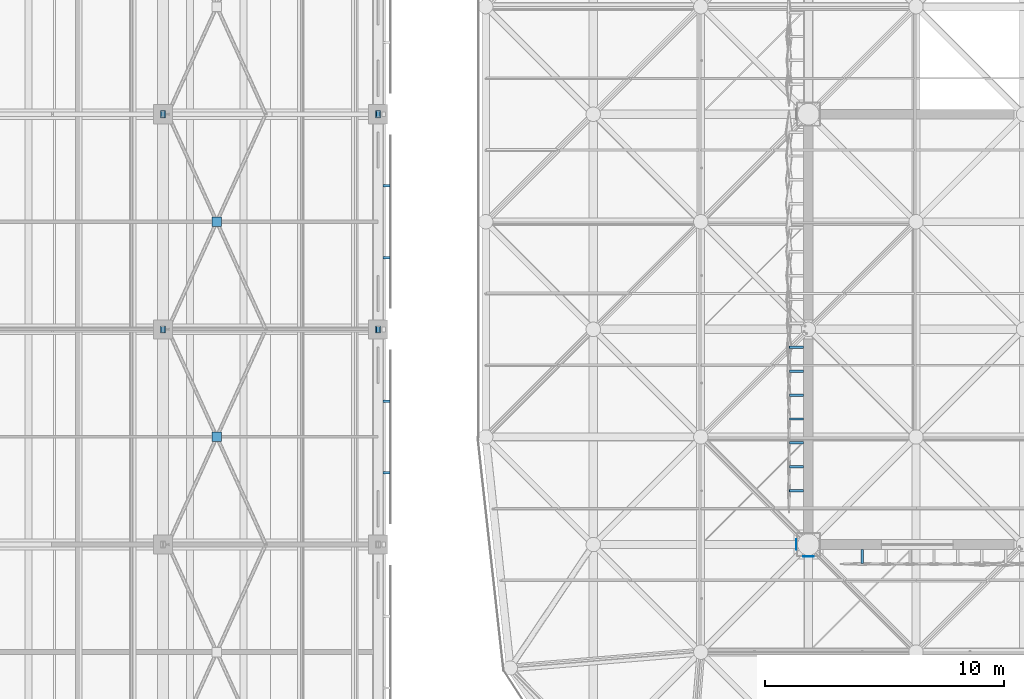
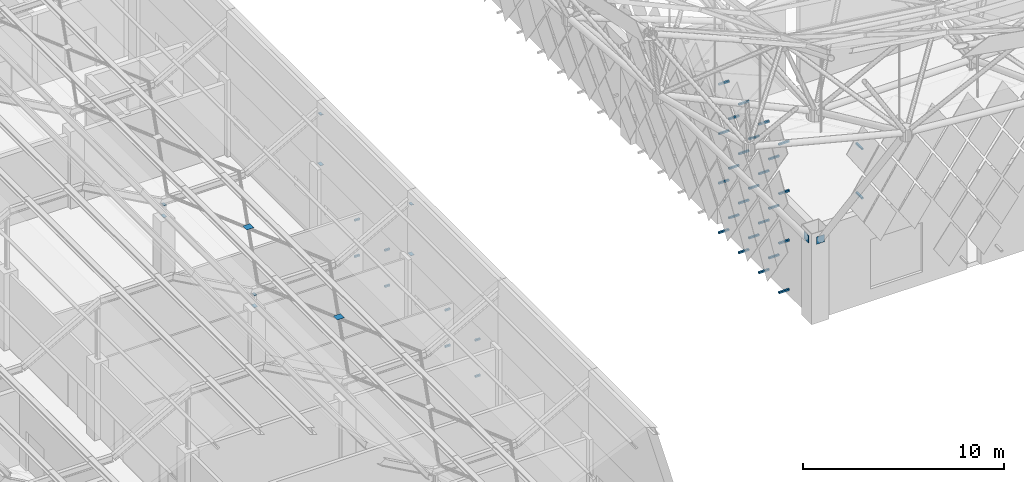
# One storey, part 347 of 437: 47 discrete accessories.
"""IFC4 building model written with IfcOpenShell, lengths in metres."""

from ifc_helpers import new_model, si_unit, direction, frame, origin, origin_2d, place, context, subcontext, project, spatial, polyline, rectangle, outline, extrude, material, layer, layer_set, type_object, element, save


model = new_model("IFC4")

# Units and contexts
model_context = context("Model", 3, precision=1e-05, world=origin(), true_north=direction((0.0, 1.0)))
body_context = subcontext(model_context, "Body", "Model", "MODEL_VIEW")
ifc_project = project(units=[si_unit("LENGTHUNIT", "METRE"), si_unit("AREAUNIT", "SQUARE_METRE"), si_unit("VOLUMEUNIT", "CUBIC_METRE"), si_unit("PLANEANGLEUNIT", "RADIAN"), si_unit("MASSUNIT", "GRAM", prefix="KILO")], contexts=[model_context])

# Site, building, storey
site_placement = place(None, origin())
site = spatial("IfcSite", under=ifc_project, at=site_placement, CompositionType="ELEMENT")
building_placement = place(site_placement, origin())
building = spatial("IfcBuilding", under=site, at=building_placement, Name="Opaline Strait Convention Centre", CompositionType="ELEMENT")
storey_placement = place(building_placement, frame((0.0, 0.0, 11.5)))
storey = spatial("IfcBuildingStorey", under=building, at=storey_placement, Name="L02", CompositionType="ELEMENT", Elevation=11.5)

# Discrete accessories
ifc_material_1 = material(Name="Structural steel Q355B", Category="steel")
ifc_layer_1 = layer(ifc_material_1, 0.01611328125)
ifc_layer_set_1 = layer_set([ifc_layer_1], Name="Structural steel Q355B")
discrete_accessory_type_1 = type_object("IfcDiscreteAccessoryType", Name="Prop bearing plate 450 x 450 x 16", PredefinedType="ANCHORPLATE", material=ifc_layer_set_1)
discrete_accessory_1_placement = place(storey_placement, frame((0.0, 0.0, 4.796875)))
element("IfcDiscreteAccessory", 1, at=discrete_accessory_1_placement, inside=storey, type_object=discrete_accessory_type_1, Name="Prop bearing plate 99/54 S", PredefinedType="ANCHORPLATE", context=body_context, shape_type="SweptSolid", body=[
    extrude(outline(polyline([(98.77490234375, 53.48388671875), (99.22509765625, 53.48388671875), (99.22509765625, 53.5), (98.77490234375, 53.5), (98.77490234375, 53.48388671875)])), origin(), (0.0, 0.0, 1.0), 0.449951171875),
])
discrete_accessory_2_placement = place(storey_placement, frame((0.0, 0.0, 4.796875)))
element("IfcDiscreteAccessory", 2, at=discrete_accessory_2_placement, inside=storey, type_object=discrete_accessory_type_1, Name="Prop bearing plate 99/54 W", PredefinedType="ANCHORPLATE", context=body_context, shape_type="SweptSolid", body=[
    extrude(outline(polyline([(98.48388671875, 53.77490234375), (98.5, 53.77490234375), (98.5, 54.22509765625), (98.48388671875, 54.22509765625), (98.48388671875, 53.77490234375)])), origin(), (0.0, 0.0, 1.0), 0.449951171875),
])
ifc_material_2 = material(Name="Steel Q355B", Category="steel")
ifc_layer_2 = layer(ifc_material_2, 0.02001953125)
ifc_layer_set_2 = layer_set([ifc_layer_2], Name="Steel Q355B")
discrete_accessory_type_2 = type_object("IfcDiscreteAccessoryType", Name="Roof post base plate 300 x 200 x 20", PredefinedType="ANCHORPLATE", material=ifc_layer_set_2)
for number, where, z_axis, x_axis, name in (
    (3, (72.0, 63.0, 4.669921875), (0.0, 0.0, 1.0), (1.0, 0.0, 0.0), "Roof post base plate at 72/63"),
    (4, (81.0, 63.0, 4.669921875), (0.0, 0.0, 1.0), (1.0, 0.0, 0.0), "Roof post base plate at 81/63"),
    (5, (72.0, 72.0, 4.669921875), (0.0, 0.0, 1.0), (1.0, 0.0, 0.0), "Roof post base plate at 72/72"),
    (6, (81.0, 72.0, 4.669921875), (0.0, 0.0, 1.0), (1.0, 0.0, 0.0), "Roof post base plate at 81/72"),
):
    element("IfcDiscreteAccessory", number, at=place(storey_placement, frame(where, z_axis=z_axis, x_axis=x_axis)), inside=storey, type_object=discrete_accessory_type_2, Name=name, PredefinedType="ANCHORPLATE", context=body_context, shape_type="SweptSolid", body=[
        extrude(rectangle(XDim=0.199951171875, YDim=0.300048828125, at=origin_2d()), origin(), (0.0, 0.0, 1.0), 0.02001953125),
    ])
ifc_layer_3 = layer(ifc_material_2, 0.014892578125)
ifc_layer_set_3 = layer_set([ifc_layer_3], Name="Steel Q355B")
discrete_accessory_type_3 = type_object("IfcDiscreteAccessoryType", Name="Roof post cap plate 250 x 150 x 15", PredefinedType="ANCHORPLATE", material=ifc_layer_set_3)
for number, where, z_axis, x_axis, name in (
    (7, (72.0, 63.0, 5.38525390625), (0.0, 0.0, 1.0), (1.0, 0.0, 0.0), "Roof post cap plate at 72/63"),
    (8, (81.0, 63.0, 7.72119140625), (0.0, 0.0, 1.0), (1.0, 0.0, 0.0), "Roof post cap plate at 81/63"),
    (9, (72.0, 72.0, 5.38525390625), (0.0, 0.0, 1.0), (1.0, 0.0, 0.0), "Roof post cap plate at 72/72"),
    (10, (81.0, 72.0, 7.72119140625), (0.0, 0.0, 1.0), (1.0, 0.0, 0.0), "Roof post cap plate at 81/72"),
):
    element("IfcDiscreteAccessory", number, at=place(storey_placement, frame(where, z_axis=z_axis, x_axis=x_axis)), inside=storey, type_object=discrete_accessory_type_3, Name=name, PredefinedType="ANCHORPLATE", context=body_context, shape_type="SweptSolid", body=[
        extrude(rectangle(XDim=0.14990234375, YDim=0.25, at=origin_2d()), origin(), (0.0, 0.0, 1.0), 0.014892578125),
    ])
ifc_material_3 = material(Name="Stainless steel 316", Category="steel")
discrete_accessory_type_4 = type_object("IfcDiscreteAccessoryType", Name="Screen bracket 300 stainless steel 316", PredefinedType="BRACKET", material=ifc_material_3)
for number, where, z_axis, x_axis, name in (
    (11, (81.35009765625, 57.0, 0.75), (0.0, 0.0, 1.0), (1.0, 0.0, 0.0), "Screen bracket L02 bay 6"),
    (12, (81.35009765625, 57.0, 2.949951171875), (0.0, 0.0, 1.0), (1.0, 0.0, 0.0), "Screen bracket L02 bay 6"),
    (13, (81.35009765625, 60.0, 0.75), (0.0, 0.0, 1.0), (1.0, 0.0, 0.0), "Screen bracket L02 bay 6"),
    (14, (81.35009765625, 60.0, 2.949951171875), (0.0, 0.0, 1.0), (1.0, 0.0, 0.0), "Screen bracket L02 bay 6"),
    (15, (81.35009765625, 66.0, 0.75), (0.0, 0.0, 1.0), (1.0, 0.0, 0.0), "Screen bracket L02 bay 7"),
    (16, (81.35009765625, 66.0, 2.949951171875), (0.0, 0.0, 1.0), (1.0, 0.0, 0.0), "Screen bracket L02 bay 7"),
    (17, (81.35009765625, 69.0, 0.75), (0.0, 0.0, 1.0), (1.0, 0.0, 0.0), "Screen bracket L02 bay 7"),
    (18, (81.35009765625, 69.0, 2.949951171875), (0.0, 0.0, 1.0), (1.0, 0.0, 0.0), "Screen bracket L02 bay 7"),
):
    element("IfcDiscreteAccessory", number, at=place(storey_placement, frame(where, z_axis=z_axis, x_axis=x_axis)), inside=storey, type_object=discrete_accessory_type_4, Name=name, PredefinedType="BRACKET", context=body_context, shape_type="SweptSolid", body=[
        extrude(rectangle(XDim=0.300048828125, YDim=0.10009765625, at=origin_2d()), origin(), (0.0, 0.0, 1.0), 0.10009765625),
    ])
discrete_accessory_type_5 = type_object("IfcDiscreteAccessoryType", Name="Tile bracket 100x100 steel", PredefinedType="BRACKET", material=ifc_material_2)
discrete_accessory_3_placement = place(storey_placement, frame((101.199951171875, 53.800048828125, 6.89208984375), z_axis=(1.0, 0.0, 0.0), x_axis=(0.0, 1.0, 0.0)))
element("IfcDiscreteAccessory", 19, at=discrete_accessory_3_placement, inside=storey, type_object=discrete_accessory_type_5, Name="Tile bracket XT03 S", PredefinedType="BRACKET", context=body_context, shape_type="SweptSolid", body=[
    extrude(outline(polyline([(0.0, -0.050048828125), (0.0, 0.050048828125), (-0.5986328125, 0.050048828125), (-0.601318359375, -0.050048828125), (0.0, -0.050048828125)])), origin(), (0.0, 0.0, 1.0), 0.10009765625),
])
discrete_accessory_4_placement = place(storey_placement, frame((101.199951171875, 53.800048828125, 9.89208984375), z_axis=(1.0, 0.0, 0.0), x_axis=(0.0, 1.0, 0.0)))
element("IfcDiscreteAccessory", 20, at=discrete_accessory_4_placement, inside=storey, type_object=discrete_accessory_type_5, Name="Tile bracket XT04 S", PredefinedType="BRACKET", context=body_context, shape_type="SweptSolid", body=[
    extrude(outline(polyline([(0.0, -0.050048828125), (0.0, 0.050048828125), (-0.59814453125, 0.050048828125), (-0.601806640625, -0.050048828125), (0.0, -0.050048828125)])), origin(), (0.0, 0.0, 1.0), 0.10009765625),
])
discrete_accessory_5_placement = place(storey_placement, frame((98.800048828125, 62.300048828125, 0.39208984375), z_axis=(0.0, -1.0, 0.0), x_axis=(1.0, 0.0, 0.0)))
element("IfcDiscreteAccessory", 21, at=discrete_accessory_5_placement, inside=storey, type_object=discrete_accessory_type_5, Name="Tile bracket XT03 W", PredefinedType="BRACKET", context=body_context, shape_type="SweptSolid", body=[
    extrude(outline(polyline([(0.0, -0.050048828125), (0.0, 0.050048828125), (-0.5986328125, 0.050048828125), (-0.601318359375, -0.050048828125), (0.0, -0.050048828125)])), origin(), (0.0, 0.0, 1.0), 0.10009765625),
])
discrete_accessory_6_placement = place(storey_placement, frame((98.800048828125, 60.300048828125, 0.39208984375), z_axis=(0.0, -1.0, 0.0), x_axis=(1.0, 0.0, 0.0)))
element("IfcDiscreteAccessory", 22, at=discrete_accessory_6_placement, inside=storey, type_object=discrete_accessory_type_5, Name="Tile bracket XT04 W", PredefinedType="BRACKET", context=body_context, shape_type="SweptSolid", body=[
    extrude(outline(polyline([(0.0, -0.050048828125), (0.0, 0.050048828125), (-0.59814453125, 0.050048828125), (-0.601806640625, -0.050048828125), (0.0, -0.050048828125)])), origin(), (0.0, 0.0, 1.0), 0.10009765625),
])
discrete_accessory_7_placement = place(storey_placement, frame((98.800048828125, 58.300048828125, 0.39208984375), z_axis=(0.0, -1.0, 0.0), x_axis=(1.0, 0.0, 0.0)))
element("IfcDiscreteAccessory", 23, at=discrete_accessory_7_placement, inside=storey, type_object=discrete_accessory_type_5, Name="Tile bracket XT05 W", PredefinedType="BRACKET", context=body_context, shape_type="SweptSolid", body=[
    extrude(outline(polyline([(0.0, -0.050048828125), (0.0, 0.050048828125), (-0.597900390625, 0.050048828125), (-0.602294921875, -0.050048828125), (0.0, -0.050048828125)])), origin(), (0.0, 0.0, 1.0), 0.10009765625),
])
discrete_accessory_8_placement = place(storey_placement, frame((98.800048828125, 56.300048828125, 0.39208984375), z_axis=(0.0, -1.0, 0.0), x_axis=(1.0, 0.0, 0.0)))
element("IfcDiscreteAccessory", 24, at=discrete_accessory_8_placement, inside=storey, type_object=discrete_accessory_type_5, Name="Tile bracket XT07 W", PredefinedType="BRACKET", context=body_context, shape_type="SweptSolid", body=[
    extrude(outline(polyline([(0.0, -0.050048828125), (0.0, 0.050048828125), (-0.596923828125, 0.050048828125), (-0.60302734375, -0.050048828125), (0.0, -0.050048828125)])), origin(), (0.0, 0.0, 1.0), 0.10009765625),
])
discrete_accessory_9_placement = place(storey_placement, frame((98.800048828125, 61.300048828125, 1.89208984375), z_axis=(0.0, -1.0, 0.0), x_axis=(1.0, 0.0, 0.0)))
element("IfcDiscreteAccessory", 25, at=discrete_accessory_9_placement, inside=storey, type_object=discrete_accessory_type_5, Name="Tile bracket XT03 W", PredefinedType="BRACKET", context=body_context, shape_type="SweptSolid", body=[
    extrude(outline(polyline([(0.0, -0.050048828125), (0.0, 0.050048828125), (-0.5986328125, 0.050048828125), (-0.601318359375, -0.050048828125), (0.0, -0.050048828125)])), origin(), (0.0, 0.0, 1.0), 0.10009765625),
])
discrete_accessory_10_placement = place(storey_placement, frame((98.800048828125, 59.300048828125, 1.89208984375), z_axis=(0.0, -1.0, 0.0), x_axis=(1.0, 0.0, 0.0)))
element("IfcDiscreteAccessory", 26, at=discrete_accessory_10_placement, inside=storey, type_object=discrete_accessory_type_5, Name="Tile bracket XT04 W", PredefinedType="BRACKET", context=body_context, shape_type="SweptSolid", body=[
    extrude(outline(polyline([(0.0, -0.050048828125), (0.0, 0.050048828125), (-0.59814453125, 0.050048828125), (-0.601806640625, -0.050048828125), (0.0, -0.050048828125)])), origin(), (0.0, 0.0, 1.0), 0.10009765625),
])
discrete_accessory_11_placement = place(storey_placement, frame((98.800048828125, 57.300048828125, 1.89208984375), z_axis=(0.0, -1.0, 0.0), x_axis=(1.0, 0.0, 0.0)))
element("IfcDiscreteAccessory", 27, at=discrete_accessory_11_placement, inside=storey, type_object=discrete_accessory_type_5, Name="Tile bracket XT05 W", PredefinedType="BRACKET", context=body_context, shape_type="SweptSolid", body=[
    extrude(outline(polyline([(0.0, -0.050048828125), (0.0, 0.050048828125), (-0.597900390625, 0.050048828125), (-0.602294921875, -0.050048828125), (0.0, -0.050048828125)])), origin(), (0.0, 0.0, 1.0), 0.10009765625),
])
discrete_accessory_12_placement = place(storey_placement, frame((98.800048828125, 62.300048828125, 3.39208984375), z_axis=(0.0, -1.0, 0.0), x_axis=(1.0, 0.0, 0.0)))
element("IfcDiscreteAccessory", 28, at=discrete_accessory_12_placement, inside=storey, type_object=discrete_accessory_type_5, Name="Tile bracket XT03 W", PredefinedType="BRACKET", context=body_context, shape_type="SweptSolid", body=[
    extrude(outline(polyline([(0.0, -0.050048828125), (0.0, 0.050048828125), (-0.601318359375, 0.050048828125), (-0.5986328125, -0.050048828125), (0.0, -0.050048828125)])), origin(), (0.0, 0.0, 1.0), 0.10009765625),
])
for number, where, z_axis, x_axis, name in (
    (29, (98.800048828125, 60.300048828125, 3.39208984375), (0.0, -1.0, 0.0), (1.0, 0.0, 0.0), "Tile bracket XT03 W"),
    (30, (98.800048828125, 58.300048828125, 3.39208984375), (0.0, -1.0, 0.0), (1.0, 0.0, 0.0), "Tile bracket XT03 W"),
):
    element("IfcDiscreteAccessory", number, at=place(storey_placement, frame(where, z_axis=z_axis, x_axis=x_axis)), inside=storey, type_object=discrete_accessory_type_5, Name=name, PredefinedType="BRACKET", context=body_context, shape_type="SweptSolid", body=[
        extrude(outline(polyline([(0.0, -0.050048828125), (0.0, 0.050048828125), (-0.5986328125, 0.050048828125), (-0.601318359375, -0.050048828125), (0.0, -0.050048828125)])), origin(), (0.0, 0.0, 1.0), 0.10009765625),
    ])
discrete_accessory_13_placement = place(storey_placement, frame((98.800048828125, 56.300048828125, 3.39208984375), z_axis=(0.0, -1.0, 0.0), x_axis=(1.0, 0.0, 0.0)))
element("IfcDiscreteAccessory", 31, at=discrete_accessory_13_placement, inside=storey, type_object=discrete_accessory_type_5, Name="Tile bracket XT05 W", PredefinedType="BRACKET", context=body_context, shape_type="SweptSolid", body=[
    extrude(outline(polyline([(0.0, -0.050048828125), (0.0, 0.050048828125), (-0.597900390625, 0.050048828125), (-0.602294921875, -0.050048828125), (0.0, -0.050048828125)])), origin(), (0.0, 0.0, 1.0), 0.10009765625),
])
discrete_accessory_14_placement = place(storey_placement, frame((98.800048828125, 61.300048828125, 4.89208984375), z_axis=(0.0, -1.0, 0.0), x_axis=(1.0, 0.0, 0.0)))
element("IfcDiscreteAccessory", 32, at=discrete_accessory_14_placement, inside=storey, type_object=discrete_accessory_type_5, Name="Tile bracket XT03 W", PredefinedType="BRACKET", context=body_context, shape_type="SweptSolid", body=[
    extrude(outline(polyline([(0.0, -0.050048828125), (0.0, 0.050048828125), (-0.601318359375, 0.050048828125), (-0.5986328125, -0.050048828125), (0.0, -0.050048828125)])), origin(), (0.0, 0.0, 1.0), 0.10009765625),
])
for number, where, z_axis, x_axis, name in (
    (33, (98.800048828125, 59.300048828125, 4.89208984375), (0.0, -1.0, 0.0), (1.0, 0.0, 0.0), "Tile bracket XT03 W"),
    (34, (98.800048828125, 57.300048828125, 4.89208984375), (0.0, -1.0, 0.0), (1.0, 0.0, 0.0), "Tile bracket XT03 W"),
):
    element("IfcDiscreteAccessory", number, at=place(storey_placement, frame(where, z_axis=z_axis, x_axis=x_axis)), inside=storey, type_object=discrete_accessory_type_5, Name=name, PredefinedType="BRACKET", context=body_context, shape_type="SweptSolid", body=[
        extrude(outline(polyline([(0.0, -0.050048828125), (0.0, 0.050048828125), (-0.5986328125, 0.050048828125), (-0.601318359375, -0.050048828125), (0.0, -0.050048828125)])), origin(), (0.0, 0.0, 1.0), 0.10009765625),
    ])
discrete_accessory_15_placement = place(storey_placement, frame((98.800048828125, 62.300048828125, 6.39208984375), z_axis=(0.0, -1.0, 0.0), x_axis=(1.0, 0.0, 0.0)))
element("IfcDiscreteAccessory", 35, at=discrete_accessory_15_placement, inside=storey, type_object=discrete_accessory_type_5, Name="Tile bracket XT05 W", PredefinedType="BRACKET", context=body_context, shape_type="SweptSolid", body=[
    extrude(outline(polyline([(0.0, -0.050048828125), (0.0, 0.050048828125), (-0.602294921875, 0.050048828125), (-0.597900390625, -0.050048828125), (0.0, -0.050048828125)])), origin(), (0.0, 0.0, 1.0), 0.10009765625),
])
discrete_accessory_16_placement = place(storey_placement, frame((98.800048828125, 60.300048828125, 6.39208984375), z_axis=(0.0, -1.0, 0.0), x_axis=(1.0, 0.0, 0.0)))
element("IfcDiscreteAccessory", 36, at=discrete_accessory_16_placement, inside=storey, type_object=discrete_accessory_type_5, Name="Tile bracket XT03 W", PredefinedType="BRACKET", context=body_context, shape_type="SweptSolid", body=[
    extrude(outline(polyline([(0.0, -0.050048828125), (0.0, 0.050048828125), (-0.601318359375, 0.050048828125), (-0.5986328125, -0.050048828125), (0.0, -0.050048828125)])), origin(), (0.0, 0.0, 1.0), 0.10009765625),
])
discrete_accessory_17_placement = place(storey_placement, frame((98.800048828125, 58.300048828125, 6.39208984375), z_axis=(0.0, -1.0, 0.0), x_axis=(1.0, 0.0, 0.0)))
element("IfcDiscreteAccessory", 37, at=discrete_accessory_17_placement, inside=storey, type_object=discrete_accessory_type_5, Name="Tile bracket XT02 W", PredefinedType="BRACKET", context=body_context, shape_type="SweptSolid", body=[
    extrude(outline(polyline([(0.0, -0.050048828125), (0.0, 0.050048828125), (-0.59912109375, 0.050048828125), (-0.600830078125, -0.050048828125), (0.0, -0.050048828125)])), origin(), (0.0, 0.0, 1.0), 0.10009765625),
])
discrete_accessory_18_placement = place(storey_placement, frame((98.800048828125, 56.300048828125, 6.39208984375), z_axis=(0.0, -1.0, 0.0), x_axis=(1.0, 0.0, 0.0)))
element("IfcDiscreteAccessory", 38, at=discrete_accessory_18_placement, inside=storey, type_object=discrete_accessory_type_5, Name="Tile bracket XT03 W", PredefinedType="BRACKET", context=body_context, shape_type="SweptSolid", body=[
    extrude(outline(polyline([(0.0, -0.050048828125), (0.0, 0.050048828125), (-0.5986328125, 0.050048828125), (-0.601318359375, -0.050048828125), (0.0, -0.050048828125)])), origin(), (0.0, 0.0, 1.0), 0.10009765625),
])
discrete_accessory_19_placement = place(storey_placement, frame((98.800048828125, 61.300048828125, 7.89208984375), z_axis=(0.0, -1.0, 0.0), x_axis=(1.0, 0.0, 0.0)))
element("IfcDiscreteAccessory", 39, at=discrete_accessory_19_placement, inside=storey, type_object=discrete_accessory_type_5, Name="Tile bracket XT06 W", PredefinedType="BRACKET", context=body_context, shape_type="SweptSolid", body=[
    extrude(outline(polyline([(0.0, -0.050048828125), (0.0, 0.050048828125), (-0.6025390625, 0.050048828125), (-0.597412109375, -0.050048828125), (0.0, -0.050048828125)])), origin(), (0.0, 0.0, 1.0), 0.10009765625),
])
discrete_accessory_20_placement = place(storey_placement, frame((98.800048828125, 59.300048828125, 7.89208984375), z_axis=(0.0, -1.0, 0.0), x_axis=(1.0, 0.0, 0.0)))
element("IfcDiscreteAccessory", 40, at=discrete_accessory_20_placement, inside=storey, type_object=discrete_accessory_type_5, Name="Tile bracket XT03 W", PredefinedType="BRACKET", context=body_context, shape_type="SweptSolid", body=[
    extrude(outline(polyline([(0.0, -0.050048828125), (0.0, 0.050048828125), (-0.601318359375, 0.050048828125), (-0.5986328125, -0.050048828125), (0.0, -0.050048828125)])), origin(), (0.0, 0.0, 1.0), 0.10009765625),
])
discrete_accessory_21_placement = place(storey_placement, frame((98.800048828125, 57.300048828125, 7.89208984375), z_axis=(0.0, -1.0, 0.0), x_axis=(1.0, 0.0, 0.0)))
element("IfcDiscreteAccessory", 41, at=discrete_accessory_21_placement, inside=storey, type_object=discrete_accessory_type_5, Name="Tile bracket XT02 W", PredefinedType="BRACKET", context=body_context, shape_type="SweptSolid", body=[
    extrude(outline(polyline([(0.0, -0.050048828125), (0.0, 0.050048828125), (-0.59912109375, 0.050048828125), (-0.600830078125, -0.050048828125), (0.0, -0.050048828125)])), origin(), (0.0, 0.0, 1.0), 0.10009765625),
])
discrete_accessory_22_placement = place(storey_placement, frame((98.800048828125, 62.300048828125, 9.39208984375), z_axis=(0.0, -1.0, 0.0), x_axis=(1.0, 0.0, 0.0)))
element("IfcDiscreteAccessory", 42, at=discrete_accessory_22_placement, inside=storey, type_object=discrete_accessory_type_5, Name="Tile bracket XT08 W", PredefinedType="BRACKET", context=body_context, shape_type="SweptSolid", body=[
    extrude(outline(polyline([(0.0, -0.050048828125), (0.0, 0.050048828125), (-0.603515625, 0.050048828125), (-0.596435546875, -0.050048828125), (0.0, -0.050048828125)])), origin(), (0.0, 0.0, 1.0), 0.10009765625),
])
discrete_accessory_23_placement = place(storey_placement, frame((98.800048828125, 60.300048828125, 9.39208984375), z_axis=(0.0, -1.0, 0.0), x_axis=(1.0, 0.0, 0.0)))
element("IfcDiscreteAccessory", 43, at=discrete_accessory_23_placement, inside=storey, type_object=discrete_accessory_type_5, Name="Tile bracket XT05 W", PredefinedType="BRACKET", context=body_context, shape_type="SweptSolid", body=[
    extrude(outline(polyline([(0.0, -0.050048828125), (0.0, 0.050048828125), (-0.602294921875, 0.050048828125), (-0.597900390625, -0.050048828125), (0.0, -0.050048828125)])), origin(), (0.0, 0.0, 1.0), 0.10009765625),
])
discrete_accessory_24_placement = place(storey_placement, frame((98.800048828125, 58.300048828125, 9.39208984375), z_axis=(0.0, -1.0, 0.0), x_axis=(1.0, 0.0, 0.0)))
element("IfcDiscreteAccessory", 44, at=discrete_accessory_24_placement, inside=storey, type_object=discrete_accessory_type_5, Name="Tile bracket XT02 W", PredefinedType="BRACKET", context=body_context, shape_type="SweptSolid", body=[
    extrude(outline(polyline([(0.0, -0.050048828125), (0.0, 0.050048828125), (-0.600830078125, 0.050048828125), (-0.59912109375, -0.050048828125), (0.0, -0.050048828125)])), origin(), (0.0, 0.0, 1.0), 0.10009765625),
])
discrete_accessory_25_placement = place(storey_placement, frame((98.800048828125, 56.300048828125, 9.39208984375), z_axis=(0.0, -1.0, 0.0), x_axis=(1.0, 0.0, 0.0)))
element("IfcDiscreteAccessory", 45, at=discrete_accessory_25_placement, inside=storey, type_object=discrete_accessory_type_5, Name="Tile bracket XT02 W", PredefinedType="BRACKET", context=body_context, shape_type="SweptSolid", body=[
    extrude(outline(polyline([(0.0, -0.050048828125), (0.0, 0.050048828125), (-0.59912109375, 0.050048828125), (-0.600830078125, -0.050048828125), (0.0, -0.050048828125)])), origin(), (0.0, 0.0, 1.0), 0.10009765625),
])
ifc_layer_4 = layer(ifc_material_2, 0.014892578125)
ifc_layer_set_4 = layer_set([ifc_layer_4], Name="Steel Q355B")
discrete_accessory_type_6 = type_object("IfcDiscreteAccessoryType", Name="X-brace gusset plate 400 x 400 x 15", PredefinedType="ANCHORPLATE", material=ifc_layer_set_4)
for number, where, z_axis, x_axis, name in (
    (46, (74.25, 58.5, 5.93994140625), (0.0, 0.0, 1.0), (1.0, 0.0, 0.0), "X-brace gusset plate bay 6 at 72"),
    (47, (74.25, 67.5, 5.93994140625), (0.0, 0.0, 1.0), (1.0, 0.0, 0.0), "X-brace gusset plate bay 7 at 72"),
):
    element("IfcDiscreteAccessory", number, at=place(storey_placement, frame(where, z_axis=z_axis, x_axis=x_axis)), inside=storey, type_object=discrete_accessory_type_6, Name=name, PredefinedType="ANCHORPLATE", context=body_context, shape_type="SweptSolid", body=[
        extrude(rectangle(XDim=0.39990234375, YDim=0.39990234375, at=origin_2d()), origin(), (0.0, 0.0, 1.0), 0.014892578125),
    ])

save(model, "model.ifc")
